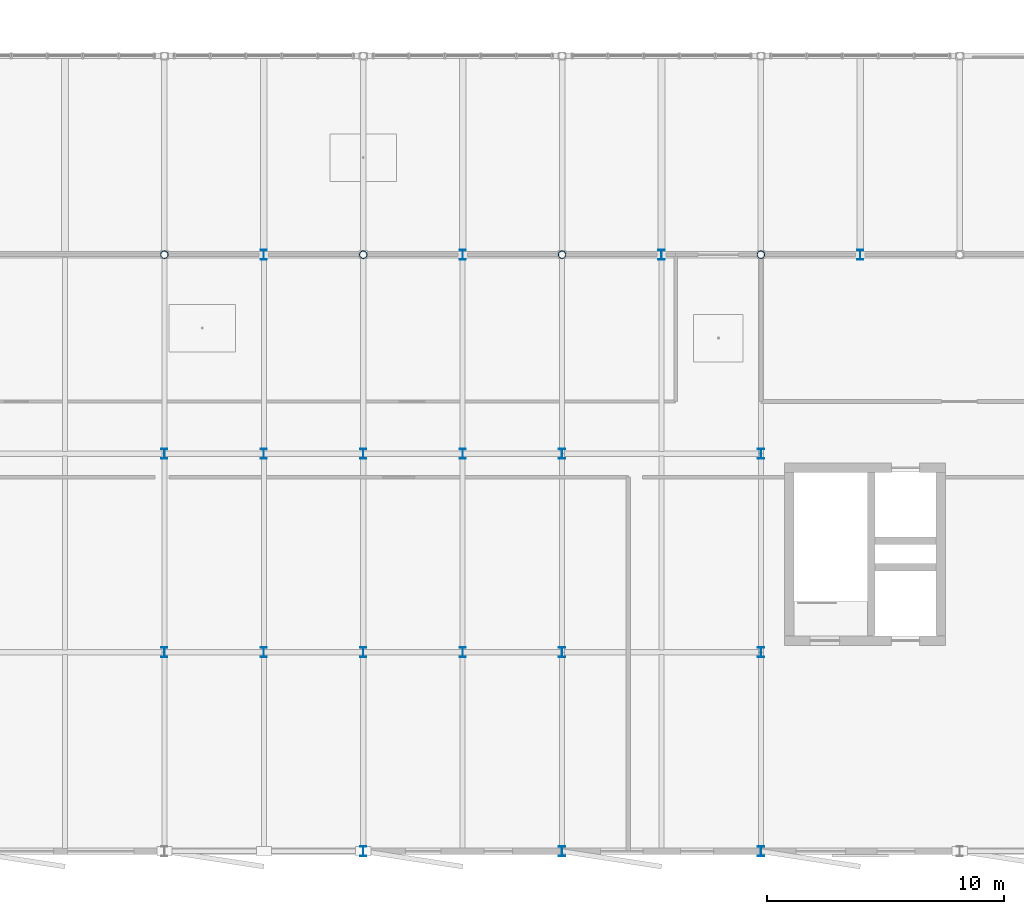
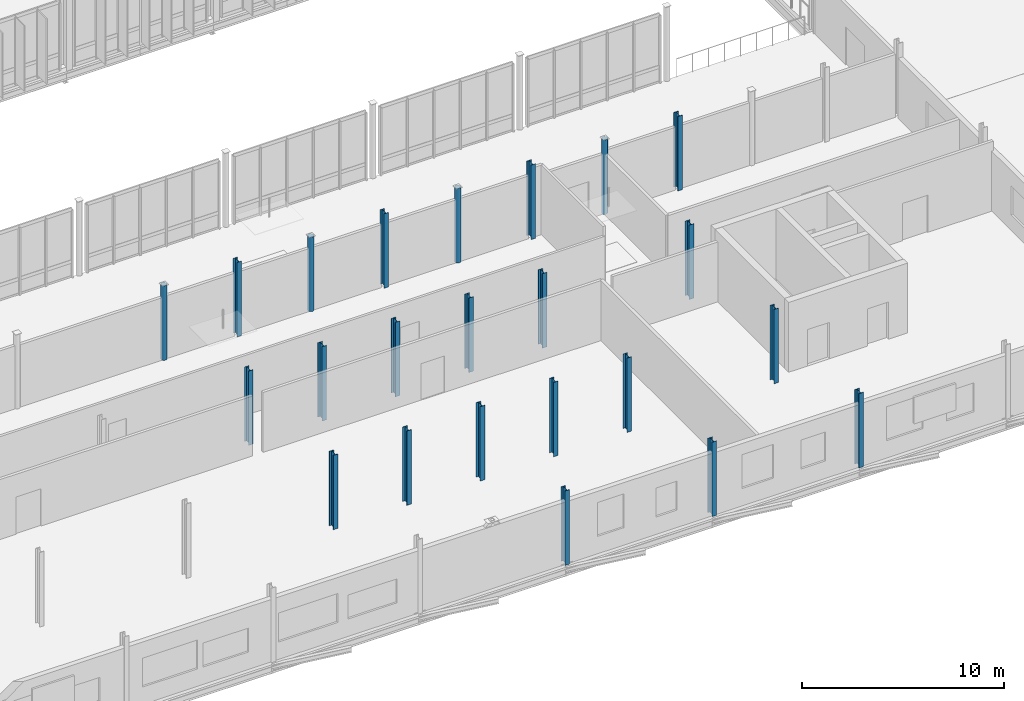
# One storey, part 5 of 139: 23 columns.
"""IFC4 building model written with IfcOpenShell, lengths in metres."""

from ifc_helpers import new_model, si_unit, derived_unit, direction, frame, origin, origin_2d, place, context, subcontext, project, spatial, hollow_circle, i_section, extrude, material, material_profile, profile_set, type_object, element, save


model = new_model("IFC4")

# Units and contexts
model_context = context("Model", 3, precision=1e-05, world=origin(), true_north=direction((0.0, 1.0)))
body_context = subcontext(model_context, "Body", "Model", "MODEL_VIEW")
ifc_project = project(units=[si_unit("LENGTHUNIT", "METRE"), si_unit("AREAUNIT", "SQUARE_METRE"), si_unit("VOLUMEUNIT", "CUBIC_METRE"), si_unit("PLANEANGLEUNIT", "RADIAN"), si_unit("MASSUNIT", "GRAM", prefix="KILO"), derived_unit("THERMALTRANSMITTANCEUNIT", [(si_unit("MASSUNIT", "GRAM", prefix="KILO"), 1), (si_unit("TIMEUNIT", "SECOND"), -3), (si_unit("THERMODYNAMICTEMPERATUREUNIT", "KELVIN"), -1)])], contexts=[model_context])

# Site, building, storey
site_placement = place(None, origin())
site = spatial("IfcSite", under=ifc_project, at=site_placement, CompositionType="ELEMENT")
building_placement = place(site_placement, origin())
building = spatial("IfcBuilding", under=site, at=building_placement, Name="Makaiwela Harbour Ferry Terminal", CompositionType="ELEMENT")
storey_placement = place(building_placement, frame((0.0, 0.0, 5.10009765625)))
storey = spatial("IfcBuildingStorey", under=building, at=storey_placement, Name="L01", CompositionType="ELEMENT", Elevation=5.10009765625)

# Columns
ifc_material_1 = material(Name="Steel ASTM A500 Grade C", Category="steel")
ifc_material_profile_1 = material_profile(ifc_material_1, hollow_circle(Radius=0.162109375, WallThickness=0.0126953125, at=origin_2d()), Name="PIPE12XS")
ifc_profile_set_1 = profile_set([ifc_material_profile_1], Name="Steel ASTM A500 Grade C")
column_type_1 = type_object("IfcColumnType", Name="STR-COL-PIPE12", PredefinedType="COLUMN", material=ifc_profile_set_1)
for number, where, z_axis, x_axis, name in (
    (1, (96.60009765625, 25.199951171875, 0.0), (0.0, 0.0, 1.0), (1.0, 0.0, 0.0), "Structural Column C-07"),
    (2, (105.0, 25.199951171875, 0.0), (0.0, 0.0, 1.0), (1.0, 0.0, 0.0), "Structural Column C-07"),
    (3, (113.39990234375, 25.199951171875, 0.0), (0.0, 0.0, 1.0), (1.0, 0.0, 0.0), "Structural Column C-07"),
    (4, (121.800048828125, 25.199951171875, 0.0), (0.0, 0.0, 1.0), (1.0, 0.0, 0.0), "Structural Column C-07"),
):
    element("IfcColumn", number, at=place(storey_placement, frame(where, z_axis=z_axis, x_axis=x_axis)), inside=storey, type_object=column_type_1, Name=name, PredefinedType="COLUMN", context=body_context, shape_type="SweptSolid", body=[
        extrude(hollow_circle(Radius=0.162109375, WallThickness=0.0126953125, at=origin_2d()), origin(), (0.0, 0.0, 1.0), 4.5),
    ])
ifc_material_2 = material(Name="Steel ASTM A992 Grade 50", Category="steel")
ifc_material_profile_2 = material_profile(ifc_material_2, i_section(OverallWidth=0.260986328125, OverallDepth=0.4189453125, WebThickness=0.01171875, FlangeThickness=0.019287109375, at=origin_2d()), Name="W16X77")
ifc_profile_set_2 = profile_set([ifc_material_profile_2], Name="Steel ASTM A992 Grade 50")
column_type_2 = type_object("IfcColumnType", Name="STR-COL-W16X77", PredefinedType="COLUMN", material=ifc_profile_set_2)
for number, where, z_axis, x_axis, name in (
    (5, (96.60009765625, 8.39990234375, 0.0), (0.0, 0.0, 1.0), (1.0, 0.0, 0.0), "Structural Column C-04"),
    (6, (96.60009765625, 16.800048828125, 0.0), (0.0, 0.0, 1.0), (1.0, 0.0, 0.0), "Structural Column C-04"),
    (7, (105.0, 0.0, 0.0), (0.0, 0.0, 1.0), (1.0, 0.0, 0.0), "Structural Column C-04"),
    (8, (105.0, 8.39990234375, 0.0), (0.0, 0.0, 1.0), (1.0, 0.0, 0.0), "Structural Column C-04"),
    (9, (105.0, 16.800048828125, 0.0), (0.0, 0.0, 1.0), (1.0, 0.0, 0.0), "Structural Column C-04"),
    (10, (113.39990234375, 0.0, 0.0), (0.0, 0.0, 1.0), (1.0, 0.0, 0.0), "Structural Column C-04"),
    (11, (113.39990234375, 8.39990234375, 0.0), (0.0, 0.0, 1.0), (1.0, 0.0, 0.0), "Structural Column C-04"),
    (12, (113.39990234375, 16.800048828125, 0.0), (0.0, 0.0, 1.0), (1.0, 0.0, 0.0), "Structural Column C-04"),
    (13, (121.800048828125, 0.0, 0.0), (0.0, 0.0, 1.0), (1.0, 0.0, 0.0), "Structural Column C-04"),
    (14, (121.800048828125, 8.39990234375, 0.0), (0.0, 0.0, 1.0), (1.0, 0.0, 0.0), "Structural Column C-04"),
    (15, (121.800048828125, 16.800048828125, 0.0), (0.0, 0.0, 1.0), (1.0, 0.0, 0.0), "Structural Column C-04"),
    (16, (100.800048828125, 8.39990234375, 0.0), (0.0, 0.0, 1.0), (1.0, 0.0, 0.0), "Structural Column C-04"),
    (17, (100.800048828125, 16.800048828125, 0.0), (0.0, 0.0, 1.0), (1.0, 0.0, 0.0), "Structural Column C-04"),
    (18, (100.800048828125, 25.199951171875, 0.0), (0.0, 0.0, 1.0), (1.0, 0.0, 0.0), "Structural Column C-04"),
    (19, (109.199951171875, 8.39990234375, 0.0), (0.0, 0.0, 1.0), (1.0, 0.0, 0.0), "Structural Column C-04"),
    (20, (109.199951171875, 16.800048828125, 0.0), (0.0, 0.0, 1.0), (1.0, 0.0, 0.0), "Structural Column C-04"),
    (21, (109.199951171875, 25.199951171875, 0.0), (0.0, 0.0, 1.0), (1.0, 0.0, 0.0), "Structural Column C-04"),
    (22, (117.60009765625, 25.199951171875, 0.0), (0.0, 0.0, 1.0), (1.0, 0.0, 0.0), "Structural Column C-04"),
    (23, (126.0, 25.199951171875, 0.0), (0.0, 0.0, 1.0), (1.0, 0.0, 0.0), "Structural Column C-04"),
):
    element("IfcColumn", number, at=place(storey_placement, frame(where, z_axis=z_axis, x_axis=x_axis)), inside=storey, type_object=column_type_2, Name=name, PredefinedType="COLUMN", context=body_context, shape_type="SweptSolid", body=[
        extrude(i_section(OverallWidth=0.260986328125, OverallDepth=0.4189453125, WebThickness=0.01171875, FlangeThickness=0.019287109375, at=origin_2d()), origin(), (0.0, 0.0, 1.0), 4.5),
    ])

save(model, "model.ifc")
